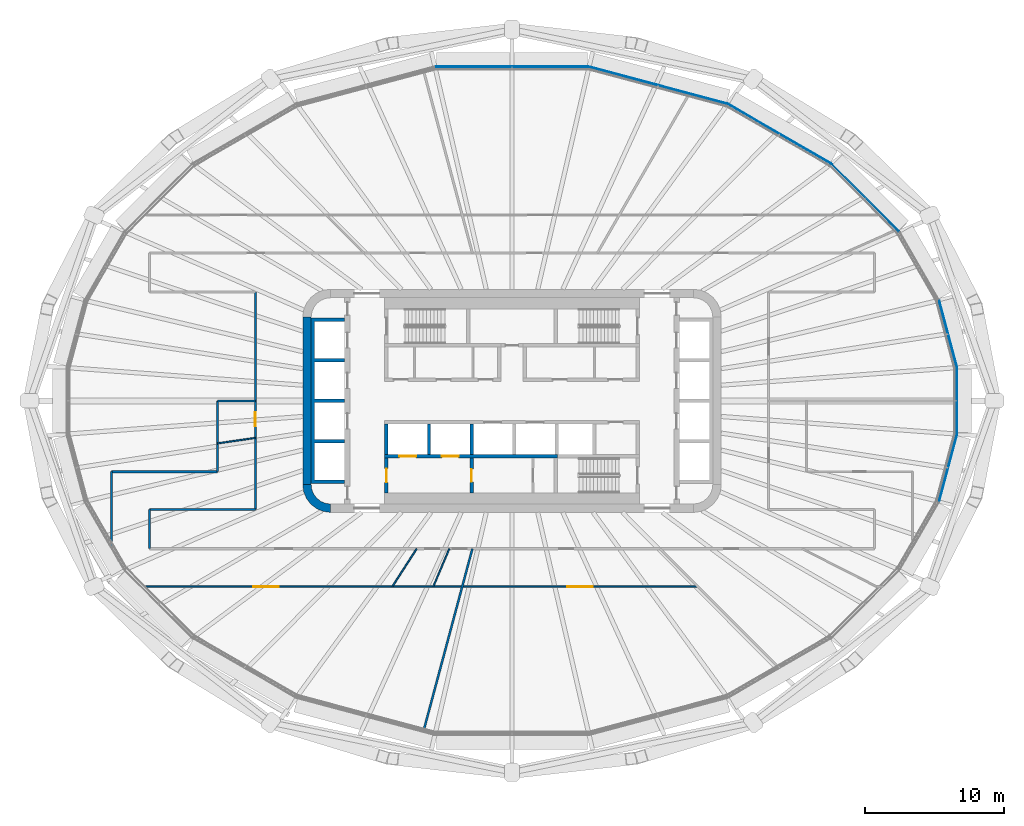
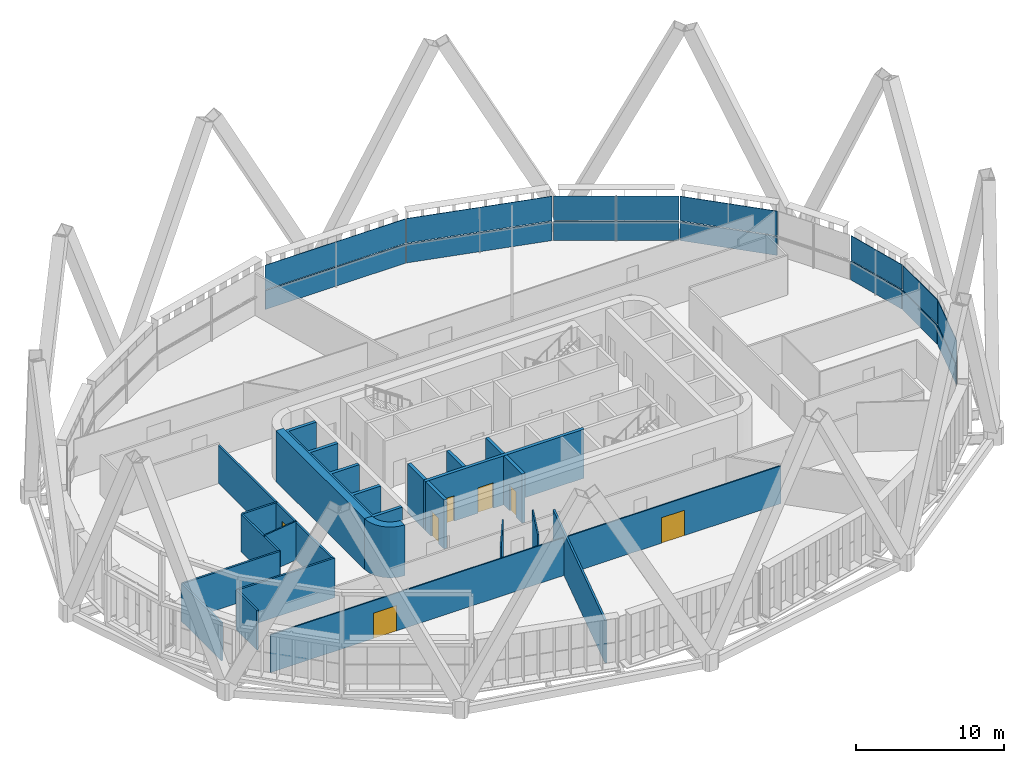
# One storey, part 14 of 25: 21 walls, 14 plates, 7 doors, 7 openings, 7 elements without a shape of their own.
"""IFC4 building model written with IfcOpenShell, lengths in metres."""

from ifc_helpers import new_model, si_unit, direction, frame, frame_2d, origin, place, context, subcontext, project, spatial, polyline, rectangle, outline, extrude, material, layer, layer_set, type_object, element, fill, aggregate, save


model = new_model("IFC4")

# Units and contexts
model_context = context("Model", 3, precision=1e-05, world=origin(), true_north=direction((0.0, 1.0)))
body_context = subcontext(model_context, "Body", "Model", "MODEL_VIEW")
ifc_project = project(units=[si_unit("LENGTHUNIT", "METRE"), si_unit("AREAUNIT", "SQUARE_METRE"), si_unit("VOLUMEUNIT", "CUBIC_METRE"), si_unit("PLANEANGLEUNIT", "RADIAN"), si_unit("MASSUNIT", "GRAM", prefix="KILO")], contexts=[model_context])

# Site, building, storey
site_placement = place(None, origin())
site = spatial("IfcSite", under=ifc_project, at=site_placement, CompositionType="ELEMENT")
building_placement = place(site_placement, origin())
building = spatial("IfcBuilding", under=site, at=building_placement, Name="Sahrelin Media Tower", CompositionType="ELEMENT")
storey_placement = place(building_placement, frame((0.0, 0.0, 114.60009765625)))
storey = spatial("IfcBuildingStorey", under=building, at=storey_placement, Name="L22", CompositionType="ELEMENT", Elevation=114.60009765625)

# Curtain wall, plate
ifc_material_1 = material(Name="Champagne anodised aluminium 6063-T6", Category="aluminium")
ifc_layer_1 = layer(ifc_material_1, 0.14990234375)
ifc_layer_set_1 = layer_set([ifc_layer_1], Name="Tower ribbon curtain wall")
curtain_wall_type = type_object("IfcCurtainWallType", Name="Tower ribbon curtain wall", PredefinedType="NOTDEFINED", material=ifc_layer_set_1)
curtain_wall_1_placement = place(storey_placement, frame((31.915771484375, 0.0, 0.0), z_axis=(0.0, 0.0, 1.0), x_axis=(1.0, 0.0, 0.0)))
curtain_wall_1 = element("IfcCurtainWall", 1, at=curtain_wall_1_placement, inside=storey, type_object=curtain_wall_type, Name="L22:CW:L22-00", PredefinedType="NOTDEFINED")
ifc_material_2 = material(Name="Clear low-iron glazing", Category="glass")
ifc_layer_2 = layer(ifc_material_2, 0.0400390625)
ifc_layer_set_2 = layer_set([ifc_layer_2], Name="Glazing panel 40 mm CW1")
plate_type_1 = type_object("IfcPlateType", Name="Glazing panel 40 mm CW1", PredefinedType="CURTAIN_PANEL", material=ifc_layer_set_2)
plate_1_placement = place(storey_placement, frame((31.935791015625, -2.3349609375, 1.6298828125), z_axis=(1.0, 0.0, 0.0), x_axis=(0.0, 1.0, 0.0)))
plate_1 = element("IfcPlate", 2, at=plate_1_placement, type_object=plate_type_1, Name="L22:CWP2:L22-00", PredefinedType="CURTAIN_PANEL", context=body_context, shape_type="SweptSolid", body=[
    extrude(outline(polyline([(0.0, 0.0), (4.669921875, 0.0), (4.669921875, 2.0185546875), (0.0, 2.0185546875), (0.0, 0.0)])), origin(), (0.0, 0.0, -1.0), 0.0400390625),
])

curtain_wall_2_placement = place(storey_placement, frame((31.270263671875, 4.794189453125, 0.0), z_axis=(0.0, 0.0, 1.0), x_axis=(1.0, 0.0, 0.0)))
curtain_wall_2 = element("IfcCurtainWall", 3, at=curtain_wall_2_placement, inside=storey, type_object=curtain_wall_type, Name="L22:CW:L22-01", PredefinedType="NOTDEFINED")
plate_2_placement = place(storey_placement, frame((31.922119140625, 2.4384765625, 1.6298828125), z_axis=(0.965930886876, 0.258800157996, 0.0), x_axis=(-0.258800157996, 0.965930886876, 0.0)))
plate_2 = element("IfcPlate", 4, at=plate_2_placement, type_object=plate_type_1, Name="L22:CWP2:L22-01", PredefinedType="CURTAIN_PANEL", context=body_context, shape_type="SweptSolid", body=[
    extrude(outline(polyline([(0.0, 0.0), (4.888427734375, 0.0), (4.888427734375, 2.0185546875), (0.0, 2.0185546875), (0.0, 0.0)])), origin(), (0.0, 0.0, -1.0), 0.0400390625),
])

curtain_wall_3_placement = place(storey_placement, frame((25.34912109375, 14.556884765625, 0.0), z_axis=(0.0, 0.0, 1.0), x_axis=(1.0, 0.0, 0.0)))
curtain_wall_3 = element("IfcCurtainWall", 5, at=curtain_wall_3_placement, inside=storey, type_object=curtain_wall_type, Name="L22:CW:L22-03", PredefinedType="NOTDEFINED")
plate_3_placement = place(storey_placement, frame((27.765380859375, 12.16845703125, 1.6298828125), z_axis=(0.707124745613, 0.707088816303, 0.0), x_axis=(-0.707088816303, 0.707124745613, 0.0)))
plate_3 = element("IfcPlate", 6, at=plate_3_placement, type_object=plate_type_1, Name="L22:CWP2:L22-03", PredefinedType="CURTAIN_PANEL", context=body_context, shape_type="SweptSolid", body=[
    extrude(outline(polyline([(0.0, 0.0), (6.794921875, 0.0), (6.794921875, 2.0185546875), (0.0, 2.0185546875), (0.0, 0.0)])), origin(), (0.0, 0.0, -1.0), 0.0400390625),
])

curtain_wall_4_placement = place(storey_placement, frame((19.190673828125, 19.142578125, 0.0), z_axis=(0.0, 0.0, 1.0), x_axis=(1.0, 0.0, 0.0)))
curtain_wall_4 = element("IfcCurtainWall", 7, at=curtain_wall_4_placement, inside=storey, type_object=curtain_wall_type, Name="L22:CW:L22-04", PredefinedType="NOTDEFINED")
plate_4_placement = place(storey_placement, frame((22.8779296875, 17.036865234375, 1.6298828125), z_axis=(0.499997854429, 0.866026642527, 0.0), x_axis=(-0.866026642527, 0.499997854429, 0.0)))
plate_4 = element("IfcPlate", 8, at=plate_4_placement, type_object=plate_type_1, Name="L22:CWP2:L22-04", PredefinedType="CURTAIN_PANEL", context=body_context, shape_type="SweptSolid", body=[
    extrude(outline(polyline([(0.0, 0.0), (8.4921875, 0.0), (8.4921875, 2.0185546875), (0.0, 2.0185546875), (0.0, 0.0)])), origin(), (0.0, 0.0, -1.0), 0.0400390625),
])

curtain_wall_5_placement = place(storey_placement, frame((10.498046875, 22.623046875, 0.0), z_axis=(0.0, 0.0, 1.0), x_axis=(1.0, 0.0, 0.0)))
curtain_wall_5 = element("IfcCurtainWall", 9, at=curtain_wall_5_placement, inside=storey, type_object=curtain_wall_type, Name="L22:CW:L22-05", PredefinedType="NOTDEFINED")
plate_5_placement = place(storey_placement, frame((15.427001953125, 21.322998046875, 1.6298828125), z_axis=(0.258825062686, 0.965924213862, 0.0), x_axis=(-0.965924213862, 0.258825062686, 0.0)))
plate_5 = element("IfcPlate", 10, at=plate_5_placement, type_object=plate_type_1, Name="L22:CWP2:L22-05", PredefinedType="CURTAIN_PANEL", context=body_context, shape_type="SweptSolid", body=[
    extrude(outline(polyline([(0.0, 0.0), (10.19482421875, 0.0), (10.19482421875, 2.0185546875), (0.0, 2.0185546875), (0.0, 0.0)])), origin(), (0.0, 0.0, -1.0), 0.0400390625),
])

curtain_wall_6_placement = place(storey_placement, frame((0.0, 23.955078125, 0.0), z_axis=(0.0, 0.0, 1.0), x_axis=(1.0, 0.0, 0.0)))
curtain_wall_6 = element("IfcCurtainWall", 11, at=curtain_wall_6_placement, inside=storey, type_object=curtain_wall_type, Name="L22:CW:L22-06", PredefinedType="NOTDEFINED")
plate_6_placement = place(storey_placement, frame((5.47607421875, 23.97509765625, 1.6298828125), z_axis=(0.0, 1.0, 0.0), x_axis=(-1.0, 0.0, 0.0)))
plate_6 = element("IfcPlate", 12, at=plate_6_placement, type_object=plate_type_1, Name="L22:CWP2:L22-06", PredefinedType="CURTAIN_PANEL", context=body_context, shape_type="SweptSolid", body=[
    extrude(outline(polyline([(0.0, 0.0), (10.9521484375, 0.0), (10.9521484375, 2.0185546875), (0.0, 2.0185546875), (0.0, 0.0)])), origin(), (0.0, 0.0, -1.0), 0.0400390625),
])

curtain_wall_7_placement = place(storey_placement, frame((31.270263671875, -4.794189453125, 0.0), z_axis=(0.0, 0.0, 1.0), x_axis=(1.0, 0.0, 0.0)))
curtain_wall_7 = element("IfcCurtainWall", 13, at=curtain_wall_7_placement, inside=storey, type_object=curtain_wall_type, Name="L22:CW:L22-23", PredefinedType="NOTDEFINED")
plate_7_placement = place(storey_placement, frame((30.656982421875, -7.160400390625, 1.6298828125), z_axis=(0.965930886876, -0.258800157996, 0.0), x_axis=(0.258800157996, 0.965930886876, 0.0)))
plate_7 = element("IfcPlate", 14, at=plate_7_placement, type_object=plate_type_1, Name="L22:CWP2:L22-23", PredefinedType="CURTAIN_PANEL", context=body_context, shape_type="SweptSolid", body=[
    extrude(outline(polyline([(0.0, 0.0), (4.888427734375, 0.0), (4.888427734375, 2.0185546875), (0.0, 2.0185546875), (0.0, 0.0)])), origin(), (0.0, 0.0, -1.0), 0.0400390625),
])

# Plate
ifc_material_3 = material(Name="Insulated spandrel panel")
ifc_layer_3 = layer(ifc_material_3, 0.06005859375)
ifc_layer_set_3 = layer_set([ifc_layer_3], Name="Spandrel panel 60 mm CW1")
plate_type_2 = type_object("IfcPlateType", Name="Spandrel panel 60 mm CW1", PredefinedType="SHEET", material=ifc_layer_set_3)
plate_8_placement = place(storey_placement, frame((31.935791015625, -2.3349609375, 0.0), z_axis=(1.0, 0.0, 0.0), x_axis=(0.0, 1.0, 0.0)))
plate_8 = element("IfcPlate", 15, at=plate_8_placement, type_object=plate_type_2, Name="L22:CWP1:L22-00", PredefinedType="SHEET", context=body_context, shape_type="SweptSolid", body=[
    extrude(outline(polyline([(0.0, 0.0), (4.669921875, 0.0), (4.669921875, 1.56982421875), (0.0, 1.56982421875), (0.0, 0.0)])), origin(), (0.0, 0.0, -1.0), 0.06005859375),
])

aggregate(curtain_wall_1, [plate_8, plate_1])

plate_9_placement = place(storey_placement, frame((31.922119140625, 2.4384765625, 0.0), z_axis=(0.965930886876, 0.258800157996, 0.0), x_axis=(-0.258800157996, 0.965930886876, 0.0)))
plate_9 = element("IfcPlate", 16, at=plate_9_placement, type_object=plate_type_2, Name="L22:CWP1:L22-01", PredefinedType="SHEET", context=body_context, shape_type="SweptSolid", body=[
    extrude(outline(polyline([(0.0, 0.0), (4.888427734375, 0.0), (4.888427734375, 1.56982421875), (0.0, 1.56982421875), (0.0, 0.0)])), origin(), (0.0, 0.0, -1.0), 0.06005859375),
])

aggregate(curtain_wall_2, [plate_9, plate_2])

plate_10_placement = place(storey_placement, frame((27.765380859375, 12.16845703125, 0.0), z_axis=(0.707124745613, 0.707088816303, 0.0), x_axis=(-0.707088816303, 0.707124745613, 0.0)))
plate_10 = element("IfcPlate", 17, at=plate_10_placement, type_object=plate_type_2, Name="L22:CWP1:L22-03", PredefinedType="SHEET", context=body_context, shape_type="SweptSolid", body=[
    extrude(outline(polyline([(0.0, 0.0), (6.794921875, 0.0), (6.794921875, 1.56982421875), (0.0, 1.56982421875), (0.0, 0.0)])), origin(), (0.0, 0.0, -1.0), 0.06005859375),
])

aggregate(curtain_wall_3, [plate_10, plate_3])

plate_11_placement = place(storey_placement, frame((22.8779296875, 17.036865234375, 0.0), z_axis=(0.499997854429, 0.866026642527, 0.0), x_axis=(-0.866026642527, 0.499997854429, 0.0)))
plate_11 = element("IfcPlate", 18, at=plate_11_placement, type_object=plate_type_2, Name="L22:CWP1:L22-04", PredefinedType="SHEET", context=body_context, shape_type="SweptSolid", body=[
    extrude(outline(polyline([(0.0, 0.0), (8.4921875, 0.0), (8.4921875, 1.56982421875), (0.0, 1.56982421875), (0.0, 0.0)])), origin(), (0.0, 0.0, -1.0), 0.06005859375),
])

aggregate(curtain_wall_4, [plate_11, plate_4])

plate_12_placement = place(storey_placement, frame((15.427001953125, 21.322998046875, 0.0), z_axis=(0.258825062686, 0.965924213862, 0.0), x_axis=(-0.965924213862, 0.258825062686, 0.0)))
plate_12 = element("IfcPlate", 19, at=plate_12_placement, type_object=plate_type_2, Name="L22:CWP1:L22-05", PredefinedType="SHEET", context=body_context, shape_type="SweptSolid", body=[
    extrude(outline(polyline([(0.0, 0.0), (10.19482421875, 0.0), (10.19482421875, 1.56982421875), (0.0, 1.56982421875), (0.0, 0.0)])), origin(), (0.0, 0.0, -1.0), 0.06005859375),
])

aggregate(curtain_wall_5, [plate_12, plate_5])

plate_13_placement = place(storey_placement, frame((5.47607421875, 23.97509765625, 0.0), z_axis=(0.0, 1.0, 0.0), x_axis=(-1.0, 0.0, 0.0)))
plate_13 = element("IfcPlate", 20, at=plate_13_placement, type_object=plate_type_2, Name="L22:CWP1:L22-06", PredefinedType="SHEET", context=body_context, shape_type="SweptSolid", body=[
    extrude(outline(polyline([(0.0, 0.0), (10.9521484375, 0.0), (10.9521484375, 1.56982421875), (0.0, 1.56982421875), (0.0, 0.0)])), origin(), (0.0, 0.0, -1.0), 0.06005859375),
])

aggregate(curtain_wall_6, [plate_13, plate_6])

plate_14_placement = place(storey_placement, frame((30.656982421875, -7.160400390625, 0.0), z_axis=(0.965930886876, -0.258800157996, 0.0), x_axis=(0.258800157996, 0.965930886876, 0.0)))
plate_14 = element("IfcPlate", 21, at=plate_14_placement, type_object=plate_type_2, Name="L22:CWP1:L22-23", PredefinedType="SHEET", context=body_context, shape_type="SweptSolid", body=[
    extrude(outline(polyline([(0.0, 0.0), (4.888427734375, 0.0), (4.888427734375, 1.56982421875), (0.0, 1.56982421875), (0.0, 0.0)])), origin(), (0.0, 0.0, -1.0), 0.06005859375),
])

aggregate(curtain_wall_7, [plate_14, plate_7])

# Walls
ifc_material_4 = material(Name="Concrete C60/75", Category="concrete")
ifc_layer_4 = layer(ifc_material_4, 0.60009765625)
ifc_layer_set_4 = layer_set([ifc_layer_4], Name="Core wall 600")
wall_type_1 = type_object("IfcWallType", Name="Core wall 600", PredefinedType="SHEAR", material=ifc_layer_set_4)
wall_1_placement = place(storey_placement, frame((-14.699951171875, -6.0, 0.0), z_axis=(0.0, 0.0, 1.0), x_axis=(0.0, 1.0, 0.0)))
element("IfcWall", 22, at=wall_1_placement, inside=storey, type_object=wall_type_1, Name="Core wall W L22", PredefinedType="SHEAR", context=body_context, shape_type="SweptSolid", body=[
    extrude(rectangle(XDim=12.0, YDim=0.60009765625, at=frame_2d((6.0, 0.0))), origin(), (0.0, 0.0, 1.0), 4.199951171875),
])
placement = place(storey_placement, origin())
element("IfcWall", 23, at=placement, inside=storey, type_object=wall_type_1, Name="Core wall corner SW L22", PredefinedType="SHEAR", context=body_context, shape_type="SweptSolid", body=[
    extrude(outline(polyline([(-13.0, -8.0), (-13.0, -7.394775390625), (-13.361083984375, -7.347412109375), (-13.697509765625, -7.2080078125), (-13.986328125, -6.986328125), (-14.2080078125, -6.697509765625), (-14.347412109375, -6.361083984375), (-14.394775390625, -6.0), (-15.0, -6.0), (-14.931884765625, -6.517578125), (-14.732177734375, -7.0), (-14.414306640625, -7.414306640625), (-14.0, -7.732177734375), (-13.517578125, -7.931884765625), (-13.0, -8.0)])), origin(), (0.0, 0.0, 1.0), 4.199951171875),
])
ifc_material_5 = material(Name="Fire-rated gypsum board partition")
ifc_layer_5 = layer(ifc_material_5, 0.14990234375)
ifc_layer_set_5 = layer_set([ifc_layer_5], Name="Fire-rated partition 150")
wall_type_2 = type_object("IfcWallType", Name="Fire-rated partition 150", PredefinedType="PARTITIONING", material=ifc_layer_set_5)
wall_3_placement = place(storey_placement, frame((-26.0, -7.800048828125, 0.0), z_axis=(0.0, 0.0, 1.0), x_axis=(1.0, 0.0, 0.0)))
element("IfcWall", 24, at=wall_3_placement, inside=storey, type_object=wall_type_2, Name="Wall", PredefinedType="PARTITIONING", context=body_context, shape_type="SweptSolid", body=[
    extrude(rectangle(XDim=7.60009765625, YDim=0.14990234375, at=frame_2d((3.800048828125, 0.0))), origin(), (0.0, 0.0, 1.0), 3.27587890625),
])
wall_4_placement = place(storey_placement, frame((-28.719970703125, -5.080078125, 0.0), z_axis=(0.0, 0.0, 1.0), x_axis=(1.0, 0.0, 0.0)))
element("IfcWall", 25, at=wall_4_placement, inside=storey, type_object=wall_type_2, Name="Wall", PredefinedType="PARTITIONING", context=body_context, shape_type="SweptSolid", body=[
    extrude(rectangle(XDim=7.599853515625, YDim=0.14990234375, at=frame_2d((3.7998046875, 0.0))), origin(), (0.0, 0.0, 1.0), 3.126953125),
])
wall_5_placement = place(storey_placement, frame((-21.1201171875, 0.0, 0.0), z_axis=(0.0, 0.0, 1.0), x_axis=(1.0, 0.0, 0.0)))
element("IfcWall", 26, at=wall_5_placement, inside=storey, type_object=wall_type_2, Name="Wall", PredefinedType="PARTITIONING", context=body_context, shape_type="SweptSolid", body=[
    extrude(rectangle(XDim=2.72021484375, YDim=0.14990234375, at=frame_2d((1.360107421875, 0.0))), origin(), (0.0, 0.0, 1.0), 3.126953125),
])
wall_6_placement = place(storey_placement, frame((-6.35888671875, -23.73193359375, 0.0), z_axis=(0.0, 0.0, 1.0), x_axis=(0.258844995685, 0.965918872478, 0.0)))
element("IfcWall", 27, at=wall_6_placement, inside=storey, type_object=wall_type_2, Name="Wall", PredefinedType="PARTITIONING", context=body_context, shape_type="SweptSolid", body=[
    extrude(rectangle(XDim=13.59521484375, YDim=0.14990234375, at=frame_2d((6.797607421875, 0.0))), origin(), (0.0, 0.0, 1.0), 3.501708984375),
])

# Wall, opening, door
wall_7_placement = place(storey_placement, frame((-18.39990234375, -7.800048828125, 0.0), z_axis=(0.0, 0.0, 1.0), x_axis=(0.0, 1.0, 0.0)))
wall_7 = element("IfcWall", 28, at=wall_7_placement, inside=storey, type_object=wall_type_2, Name="Wall", PredefinedType="PARTITIONING", context=body_context, shape_type="SweptSolid", body=[
    extrude(rectangle(XDim=15.60009765625, YDim=0.14990234375, at=frame_2d((7.800048828125, 0.0))), origin(), (0.0, 0.0, 1.0), 3.1181640625),
])
opening_1_placement = place(wall_7_placement, frame((5.970947265625, 0.0, 0.0)))
opening_1 = element("IfcOpeningElement", 29, at=opening_1_placement, cuts=wall_7, Name="Opening L22-D25", PredefinedType="OPENING", context=body_context, shape_type="SweptSolid", body=[
    extrude(rectangle(XDim=1.0, YDim=2.10009765625, at=frame_2d((0.5, 1.050048828125))), frame((0.0, 0.074951171875, 0.0), z_axis=(0.0, -1.0, 0.0), x_axis=(1.0, 0.0, 0.0)), (0.0, 0.0, 1.0), 0.14990234375),
])
ifc_material_6 = material(Name="Steel fire door leaf", Category="steel")
door_type_1 = type_object("IfcDoorType", Name="Fire door 1000 x 2100 EI 60", OperationType="NOTDEFINED", PredefinedType="DOOR", material=ifc_material_6)
door_1_placement = place(opening_1_placement, origin())
door_1 = element("IfcDoor", 30, at=door_1_placement, inside=storey, type_object=door_type_1, Name="Fire door", OperationType="SINGLE_SWING_LEFT", OverallHeight=2.10009765625, OverallWidth=1.0, PredefinedType="DOOR", context=body_context, shape_type="SweptSolid", body=[
    extrude(rectangle(XDim=1.0, YDim=2.10009765625, at=frame_2d((0.5, 1.050048828125))), frame((0.0, 0.02490234375, 0.0), z_axis=(0.0, -1.0, 0.0), x_axis=(1.0, 0.0, 0.0)), (0.0, 0.0, 1.0), 0.050048828125),
])
fill(opening_1, door_1)

# Walls
wall_8_placement = place(storey_placement, frame((-21.1201171875, -5.080078125, 0.0), z_axis=(0.0, 0.0, 1.0), x_axis=(0.0, 1.0, 0.0)))
element("IfcWall", 31, at=wall_8_placement, inside=storey, type_object=wall_type_2, Name="Wall", PredefinedType="PARTITIONING", context=body_context, shape_type="SweptSolid", body=[
    extrude(rectangle(XDim=5.080078125, YDim=0.14990234375, at=frame_2d((2.5400390625, 0.0))), origin(), (0.0, 0.0, 1.0), 3.1181640625),
])
wall_9_placement = place(storey_placement, frame((-26.0, -10.60009765625, 0.0), z_axis=(0.0, 0.0, 1.0), x_axis=(0.0, 1.0, 0.0)))
element("IfcWall", 32, at=wall_9_placement, inside=storey, type_object=wall_type_2, Name="Wall", PredefinedType="PARTITIONING", context=body_context, shape_type="SweptSolid", body=[
    extrude(rectangle(XDim=2.800048828125, YDim=0.14990234375, at=frame_2d((1.39990234375, 0.0))), origin(), (0.0, 0.0, 1.0), 3.27587890625),
])
wall_10_placement = place(storey_placement, frame((-28.719970703125, -10.5029296875, 0.0), z_axis=(0.0, 0.0, 1.0), x_axis=(0.0, 1.0, 0.0)))
element("IfcWall", 33, at=wall_10_placement, inside=storey, type_object=wall_type_2, Name="Wall", PredefinedType="PARTITIONING", context=body_context, shape_type="SweptSolid", body=[
    extrude(rectangle(XDim=5.4228515625, YDim=0.14990234375, at=frame_2d((2.71142578125, 0.0))), origin(), (0.0, 0.0, 1.0), 3.126953125),
])

# Wall, opening, door
ifc_layer_6 = layer(ifc_material_5, 0.25)
ifc_layer_set_6 = layer_set([ifc_layer_6], Name="Firefighting lobby wall 250")
wall_type_3 = type_object("IfcWallType", Name="Firefighting lobby wall 250", PredefinedType="PARTITIONING", material=ifc_layer_set_6)
wall_11_placement = place(storey_placement, frame((-9.0, -6.60009765625, 0.0), z_axis=(0.0, 0.0, 1.0), x_axis=(0.0, 1.0, 0.0)))
wall_11 = element("IfcWall", 34, at=wall_11_placement, inside=storey, type_object=wall_type_3, Name="Core wall", PredefinedType="PARTITIONING", context=body_context, shape_type="SweptSolid", body=[
    extrude(rectangle(XDim=2.5, YDim=0.25, at=frame_2d((1.25, 0.0))), origin(), (0.0, 0.0, 1.0), 4.0498046875),
])
opening_2_placement = place(wall_11_placement, frame((0.75, 0.0, 0.0)))
opening_2 = element("IfcOpeningElement", 35, at=opening_2_placement, cuts=wall_11, Name="Opening L22-D04", PredefinedType="OPENING", context=body_context, shape_type="SweptSolid", body=[
    extrude(rectangle(XDim=1.0, YDim=2.10009765625, at=frame_2d((0.5, 1.050048828125))), frame((0.0, 0.125, 0.0), z_axis=(0.0, -1.0, 0.0), x_axis=(1.0, 0.0, 0.0)), (0.0, 0.0, 1.0), 0.25),
])
door_type_2 = type_object("IfcDoorType", Name="Firefighting lobby door 1000 x 2100 EI 120", OperationType="NOTDEFINED", PredefinedType="DOOR", material=ifc_material_6)
door_2_placement = place(opening_2_placement, origin())
door_2 = element("IfcDoor", 36, at=door_2_placement, inside=storey, type_object=door_type_2, Name="Firefighting lobby door", OperationType="SINGLE_SWING_LEFT", OverallHeight=2.10009765625, OverallWidth=1.0, PredefinedType="DOOR", context=body_context, shape_type="SweptSolid", body=[
    extrude(rectangle(XDim=1.0, YDim=2.10009765625, at=frame_2d((0.5, 1.050048828125))), frame((0.0, 0.02490234375, 0.0), z_axis=(0.0, -1.0, 0.0), x_axis=(1.0, 0.0, 0.0)), (0.0, 0.0, 1.0), 0.050048828125),
])
fill(opening_2, door_2)

wall_12_placement = place(storey_placement, frame((-2.89990234375, -6.60009765625, 0.0), z_axis=(0.0, 0.0, 1.0), x_axis=(0.0, 1.0, 0.0)))
wall_12 = element("IfcWall", 37, at=wall_12_placement, inside=storey, type_object=wall_type_3, Name="Core wall", PredefinedType="PARTITIONING", context=body_context, shape_type="SweptSolid", body=[
    extrude(rectangle(XDim=2.5, YDim=0.25, at=frame_2d((1.25, 0.0))), origin(), (0.0, 0.0, 1.0), 4.0498046875),
])
opening_3_placement = place(wall_12_placement, frame((0.800048828125, 0.0, 0.0)))
opening_3 = element("IfcOpeningElement", 38, at=opening_3_placement, cuts=wall_12, Name="Opening L22-D05", PredefinedType="OPENING", context=body_context, shape_type="SweptSolid", body=[
    extrude(rectangle(XDim=0.89990234375, YDim=2.10009765625, at=frame_2d((0.449951171875, 1.050048828125))), frame((0.0, 0.125, 0.0), z_axis=(0.0, -1.0, 0.0), x_axis=(1.0, 0.0, 0.0)), (0.0, 0.0, 1.0), 0.25),
])
door_type_3 = type_object("IfcDoorType", Name="Firefighting lobby door 900 x 2100 EI 120", OperationType="NOTDEFINED", PredefinedType="DOOR", material=ifc_material_6)
door_3_placement = place(opening_3_placement, origin())
door_3 = element("IfcDoor", 39, at=door_3_placement, inside=storey, type_object=door_type_3, Name="Riser door", OperationType="SINGLE_SWING_RIGHT", OverallHeight=2.10009765625, OverallWidth=0.89990234375, PredefinedType="DOOR", context=body_context, shape_type="SweptSolid", body=[
    extrude(rectangle(XDim=0.89990234375, YDim=2.10009765625, at=frame_2d((0.449951171875, 1.050048828125))), frame((0.0, 0.02490234375, 0.0), z_axis=(0.0, -1.0, 0.0), x_axis=(1.0, 0.0, 0.0)), (0.0, 0.0, 1.0), 0.050048828125),
])
fill(opening_3, door_3)

# Wall, openings, doors
ifc_layer_7 = layer(ifc_material_4, 0.25)
ifc_layer_set_7 = layer_set([ifc_layer_7], Name="Lift shaft wall 250")
wall_type_4 = type_object("IfcWallType", Name="Lift shaft wall 250", PredefinedType="SOLIDWALL", material=ifc_layer_set_7)
wall_13_placement = place(storey_placement, frame((-9.125, -3.97509765625, 0.0), z_axis=(0.0, 0.0, 1.0), x_axis=(1.0, 0.0, 0.0)))
wall_13 = element("IfcWall", 40, at=wall_13_placement, inside=storey, type_object=wall_type_4, Name="Lift shaft wall", PredefinedType="SOLIDWALL", context=body_context, shape_type="SweptSolid", body=[
    extrude(rectangle(XDim=12.39990234375, YDim=0.25, at=frame_2d((6.199951171875, 0.0))), origin(), (0.0, 0.0, 1.0), 4.0498046875),
])
opening_4_placement = place(wall_13_placement, frame((1.050048828125, 0.0, 0.0)))
opening_4 = element("IfcOpeningElement", 41, at=opening_4_placement, cuts=wall_13, Name="Opening L22-LD-FF1", PredefinedType="OPENING", context=body_context, shape_type="SweptSolid", body=[
    extrude(rectangle(XDim=1.199951171875, YDim=2.10009765625, at=frame_2d((0.60009765625, 1.050048828125))), frame((0.0, 0.125, 0.0), z_axis=(0.0, -1.0, 0.0), x_axis=(1.0, 0.0, 0.0)), (0.0, 0.0, 1.0), 0.25),
])
opening_5_placement = place(wall_13_placement, frame((4.10009765625, 0.0, 0.0)))
opening_5 = element("IfcOpeningElement", 42, at=opening_5_placement, cuts=wall_13, Name="Opening L22-LD-FF2", PredefinedType="OPENING", context=body_context, shape_type="SweptSolid", body=[
    extrude(rectangle(XDim=1.199951171875, YDim=2.10009765625, at=frame_2d((0.60009765625, 1.050048828125))), frame((0.0, 0.125, 0.0), z_axis=(0.0, -1.0, 0.0), x_axis=(1.0, 0.0, 0.0)), (0.0, 0.0, 1.0), 0.25),
])
ifc_material_7 = material(Name="Stainless steel", Category="steel")
door_type_4 = type_object("IfcDoorType", Name="Lift landing door 1200 x 2100 EI 120", OperationType="DOUBLE_DOOR_SLIDING", PredefinedType="DOOR", material=ifc_material_7)
door_4_placement = place(opening_4_placement, origin())
door_4 = element("IfcDoor", 43, at=door_4_placement, inside=storey, type_object=door_type_4, Name="Lift landing door FF1", OperationType="DOUBLE_DOOR_SLIDING", OverallHeight=2.10009765625, OverallWidth=1.199951171875, PredefinedType="DOOR", context=body_context, shape_type="SweptSolid", body=[
    extrude(rectangle(XDim=1.199951171875, YDim=2.10009765625, at=frame_2d((0.60009765625, 1.050048828125))), frame((0.0, 0.02490234375, 0.0), z_axis=(0.0, -1.0, 0.0), x_axis=(1.0, 0.0, 0.0)), (0.0, 0.0, 1.0), 0.050048828125),
])
fill(opening_4, door_4)
door_5_placement = place(opening_5_placement, origin())
door_5 = element("IfcDoor", 44, at=door_5_placement, inside=storey, type_object=door_type_4, Name="Lift landing door FF2", OperationType="DOUBLE_DOOR_SLIDING", OverallHeight=2.10009765625, OverallWidth=1.199951171875, PredefinedType="DOOR", context=body_context, shape_type="SweptSolid", body=[
    extrude(rectangle(XDim=1.199951171875, YDim=2.10009765625, at=frame_2d((0.60009765625, 1.050048828125))), frame((0.0, 0.02490234375, 0.0), z_axis=(0.0, -1.0, 0.0), x_axis=(1.0, 0.0, 0.0)), (0.0, 0.0, 1.0), 0.050048828125),
])
fill(opening_5, door_5)

# Walls
for number, where, z_axis, x_axis, name in (
    (45, (-9.0, -3.85009765625, 0.0), (0.0, 0.0, 1.0), (0.0, 1.0, 0.0), "Lift shaft wall"),
    (46, (-5.949951171875, -3.85009765625, 0.0), (0.0, 0.0, 1.0), (0.0, 1.0, 0.0), "Lift shaft wall"),
    (47, (-2.89990234375, -3.85009765625, 0.0), (0.0, 0.0, 1.0), (0.0, 1.0, 0.0), "Lift shaft wall"),
):
    element("IfcWall", number, at=place(storey_placement, frame(where, z_axis=z_axis, x_axis=x_axis)), inside=storey, type_object=wall_type_4, Name=name, PredefinedType="SOLIDWALL", context=body_context, shape_type="SweptSolid", body=[
        extrude(rectangle(XDim=2.2001953125, YDim=0.25, at=frame_2d((1.10009765625, 0.0))), origin(), (0.0, 0.0, 1.0), 4.0498046875),
    ])
element("IfcWall", 48, at=placement, inside=storey, type_object=wall_type_4, Name="Lift shaft wall", PredefinedType="SOLIDWALL", context=body_context, shape_type="SweptSolid", body=[
    extrude(outline(polyline([(-12.0, -5.925048828125), (-12.0, -5.675048828125), (-14.14990234375, -5.675048828125), (-14.14990234375, -3.02490234375), (-12.0, -3.02490234375), (-12.0, -2.77490234375), (-14.14990234375, -2.77490234375), (-14.14990234375, -0.125), (-12.0, -0.125), (-12.0, 0.125), (-14.14990234375, 0.125), (-14.14990234375, 2.77490234375), (-12.0, 2.77490234375), (-12.0, 3.02490234375), (-14.14990234375, 3.02490234375), (-14.14990234375, 5.675048828125), (-12.0, 5.675048828125), (-12.0, 5.925048828125), (-14.14990234375, 5.925048828125), (-14.39990234375, 5.925048828125), (-14.39990234375, 5.675048828125), (-14.39990234375, 3.02490234375), (-14.39990234375, 2.77490234375), (-14.39990234375, 0.125), (-14.39990234375, -0.125), (-14.39990234375, -2.77490234375), (-14.39990234375, -3.02490234375), (-14.39990234375, -5.675048828125), (-14.39990234375, -5.925048828125), (-14.14990234375, -5.925048828125), (-12.0, -5.925048828125)])), origin(), (0.0, 0.0, 1.0), 4.0498046875),
])

# Wall, openings, doors
ifc_material_8 = material(Name="Gypsum board partition")
ifc_layer_8 = layer(ifc_material_8, 0.10009765625)
ifc_layer_set_8 = layer_set([ifc_layer_8], Name="Partition 100")
wall_type_5 = type_object("IfcWallType", Name="Partition 100", PredefinedType="PARTITIONING", material=ifc_layer_set_8)
wall_15_placement = place(storey_placement, frame((-26.5859375, -13.320068359375, 0.0), z_axis=(0.0, 0.0, 1.0), x_axis=(1.0, 0.0, 0.0)))
wall_15 = element("IfcWall", 49, at=wall_15_placement, inside=storey, type_object=wall_type_5, Name="Wall", PredefinedType="PARTITIONING", context=body_context, shape_type="SweptSolid", body=[
    extrude(rectangle(XDim=39.906005859375, YDim=0.10009765625, at=frame_2d((19.953125, 0.0))), origin(), (0.0, 0.0, 1.0), 3.126953125),
])
opening_6_placement = place(wall_15_placement, frame((8.04931640625, 0.0, 0.0)))
opening_6 = element("IfcOpeningElement", 50, at=opening_6_placement, cuts=wall_15, Name="Opening L22-D29", PredefinedType="OPENING", context=body_context, shape_type="SweptSolid", body=[
    extrude(rectangle(XDim=1.800048828125, YDim=2.10009765625, at=frame_2d((0.89990234375, 1.050048828125))), frame((0.0, 0.050048828125, 0.0), z_axis=(0.0, -1.0, 0.0), x_axis=(1.0, 0.0, 0.0)), (0.0, 0.0, 1.0), 0.10009765625),
])
opening_7_placement = place(wall_15_placement, frame((30.5615234375, 0.0, 0.0)))
opening_7 = element("IfcOpeningElement", 51, at=opening_7_placement, cuts=wall_15, Name="Opening L22-D31", PredefinedType="OPENING", context=body_context, shape_type="SweptSolid", body=[
    extrude(rectangle(XDim=1.800048828125, YDim=2.10009765625, at=frame_2d((0.89990234375, 1.050048828125))), frame((0.0, 0.050048828125, 0.0), z_axis=(0.0, -1.0, 0.0), x_axis=(1.0, 0.0, 0.0)), (0.0, 0.0, 1.0), 0.10009765625),
])
ifc_material_9 = material(Name="Timber door leaf", Category="wood")
door_type_5 = type_object("IfcDoorType", Name="Double door 1800 x 2100", OperationType="DOUBLE_DOOR_SINGLE_SWING", PredefinedType="DOOR", material=ifc_material_9)
door_6_placement = place(opening_6_placement, origin())
door_6 = element("IfcDoor", 52, at=door_6_placement, inside=storey, type_object=door_type_5, Name="Double door", OperationType="DOUBLE_DOOR_SINGLE_SWING", OverallHeight=2.10009765625, OverallWidth=1.800048828125, PredefinedType="DOOR", context=body_context, shape_type="SweptSolid", body=[
    extrude(rectangle(XDim=1.800048828125, YDim=2.10009765625, at=frame_2d((0.89990234375, 1.050048828125))), frame((0.0, 0.02490234375, 0.0), z_axis=(0.0, -1.0, 0.0), x_axis=(1.0, 0.0, 0.0)), (0.0, 0.0, 1.0), 0.050048828125),
])
fill(opening_6, door_6)
door_7_placement = place(opening_7_placement, origin())
door_7 = element("IfcDoor", 53, at=door_7_placement, inside=storey, type_object=door_type_5, Name="Double door", OperationType="DOUBLE_DOOR_SINGLE_SWING", OverallHeight=2.10009765625, OverallWidth=1.800048828125, PredefinedType="DOOR", context=body_context, shape_type="SweptSolid", body=[
    extrude(rectangle(XDim=1.800048828125, YDim=2.10009765625, at=frame_2d((0.89990234375, 1.050048828125))), frame((0.0, 0.02490234375, 0.0), z_axis=(0.0, -1.0, 0.0), x_axis=(1.0, 0.0, 0.0)), (0.0, 0.0, 1.0), 0.050048828125),
])
fill(opening_7, door_7)

# Walls
wall_16_placement = place(storey_placement, frame((-21.1201171875, -3.051025390625, 0.0), z_axis=(0.0, 0.0, 1.0), x_axis=(0.989720814385, 0.143012969948, 0.0)))
element("IfcWall", 54, at=wall_16_placement, inside=storey, type_object=wall_type_5, Name="Wall", PredefinedType="PARTITIONING", context=body_context, shape_type="SweptSolid", body=[
    extrude(rectangle(XDim=2.74853515625, YDim=0.10009765625, at=frame_2d((1.374267578125, 0.0))), origin(), (0.0, 0.0, 1.0), 3.195068359375),
])
wall_17_placement = place(storey_placement, frame((-8.5869140625, -13.320068359375, 0.0), z_axis=(0.0, 0.0, 1.0), x_axis=(0.54192754119, 0.840425213865, 0.0)))
element("IfcWall", 55, at=wall_17_placement, inside=storey, type_object=wall_type_5, Name="Wall", PredefinedType="PARTITIONING", context=body_context, shape_type="SweptSolid", body=[
    extrude(rectangle(XDim=3.236328125, YDim=0.10009765625, at=frame_2d((1.6181640625, 0.0))), origin(), (0.0, 0.0, 1.0), 4.0498046875),
])
wall_18_placement = place(storey_placement, frame((-5.638916015625, -13.320068359375, 0.0), z_axis=(0.0, 0.0, 1.0), x_axis=(0.389955437881, 0.920833729002, 0.0)))
element("IfcWall", 56, at=wall_18_placement, inside=storey, type_object=wall_type_5, Name="Wall", PredefinedType="PARTITIONING", context=body_context, shape_type="SweptSolid", body=[
    extrude(rectangle(XDim=2.953857421875, YDim=0.10009765625, at=frame_2d((1.47705078125, 0.0))), origin(), (0.0, 0.0, 1.0), 4.0498046875),
])

save(model, "model.ifc")
